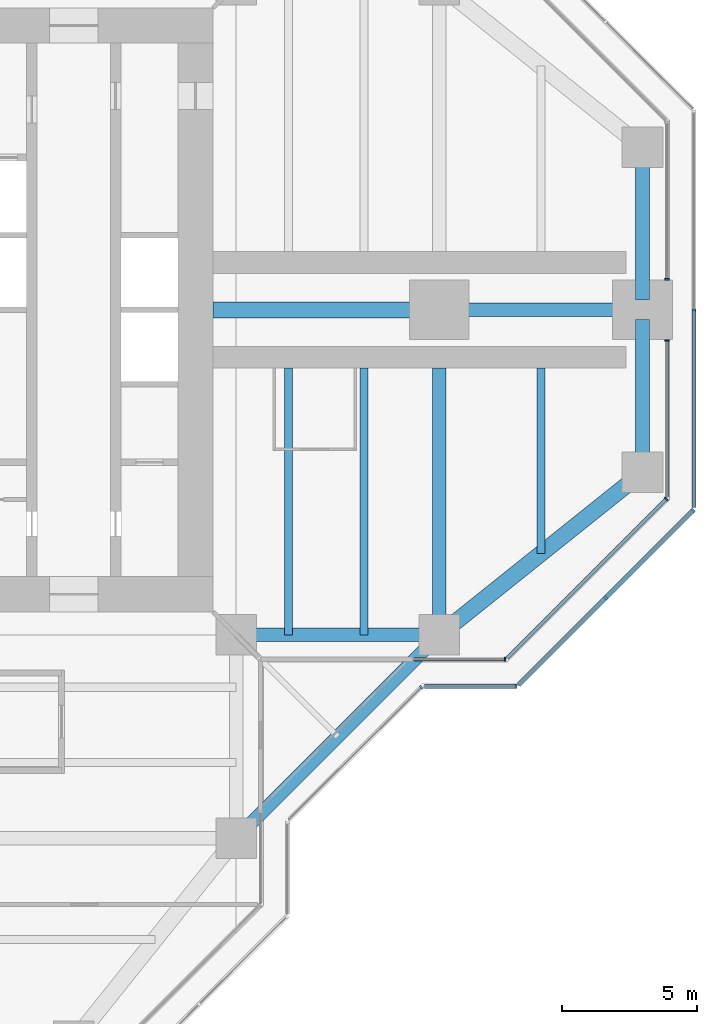
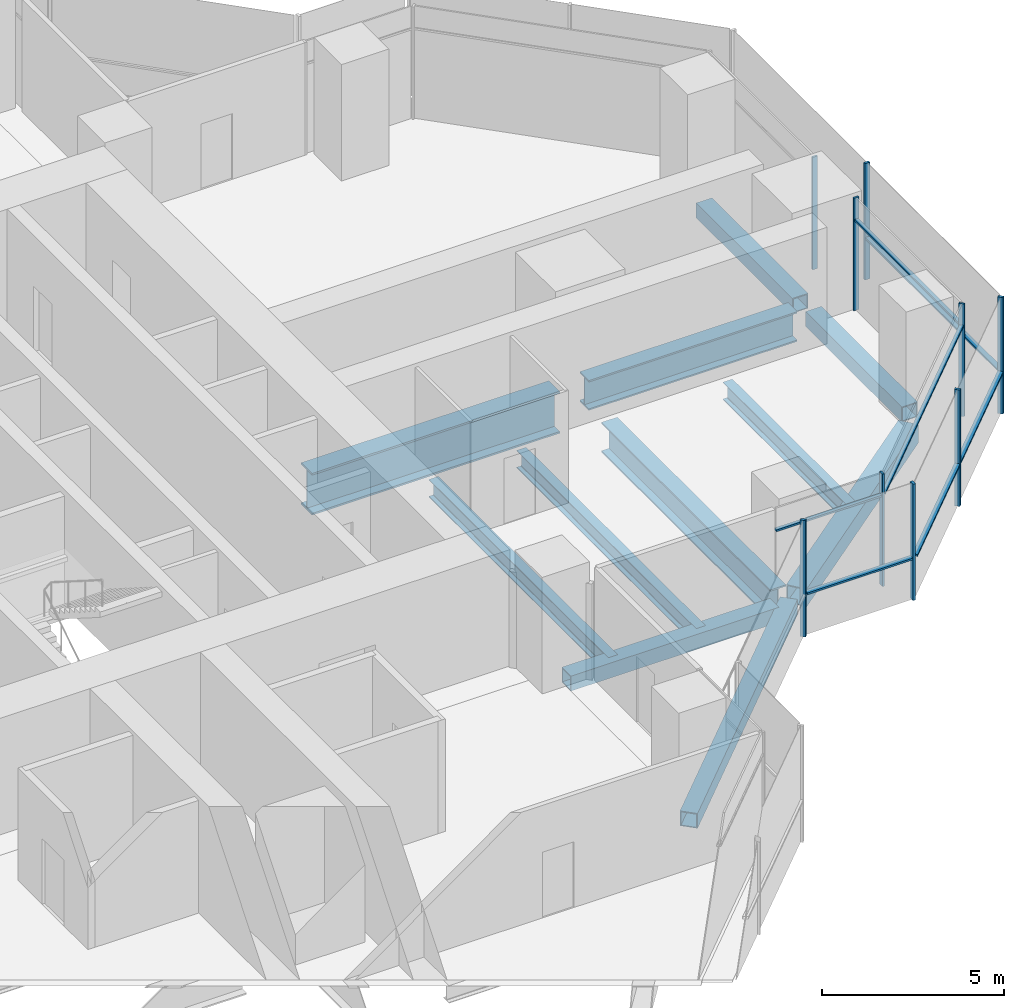
# One storey, part 5 of 17: 16 members, 11 beams, 8 elements without a shape of their own.
"""IFC4 building model written with IfcOpenShell, lengths in metres."""

from ifc_helpers import new_model, si_unit, direction, frame, origin, origin_2d, place, context, subcontext, project, spatial, rectangle, hollow_rectangle, i_section, extrude, material, material_profile, profile_set, type_object, element, aggregate, save


model = new_model("IFC4")

# Units and contexts
model_context = context("Model", 3, precision=1e-05, world=origin(), true_north=direction((0.0, 1.0)))
body_context = subcontext(model_context, "Body", "Model", "MODEL_VIEW")
ifc_project = project(units=[si_unit("LENGTHUNIT", "METRE"), si_unit("AREAUNIT", "SQUARE_METRE"), si_unit("VOLUMEUNIT", "CUBIC_METRE"), si_unit("PLANEANGLEUNIT", "RADIAN"), si_unit("MASSUNIT", "GRAM", prefix="KILO")], contexts=[model_context])

# Site, building, storey
site_placement = place(None, origin())
site = spatial("IfcSite", under=ifc_project, at=site_placement, CompositionType="ELEMENT")
building_placement = place(site_placement, origin())
building = spatial("IfcBuilding", under=site, at=building_placement, Name="Mizan Broadcast Tower", CompositionType="ELEMENT")
storey_placement = place(building_placement, frame((0.0, 0.0, 224.39990234375)))
storey = spatial("IfcBuildingStorey", under=building, at=storey_placement, Name="L52", CompositionType="ELEMENT", Elevation=224.39990234375)

# Beams
ifc_material_1 = material(Name="Steel S355", Category="steel")
ifc_material_profile_1 = material_profile(ifc_material_1, hollow_rectangle(XDim=0.5, YDim=0.5, WallThickness=0.030029296875, at=origin_2d()), Name="BOX 500x500x30")
ifc_profile_set_1 = profile_set([ifc_material_profile_1], Name="Steel S355")
beam_type_1 = type_object("IfcBeamType", Name="EDGE BEAM BOX 500x500x30", PredefinedType="SPANDREL", material=ifc_profile_set_1)
beam_1_placement = place(storey_placement, frame((12.449951171875, -12.0, -0.3798828125), z_axis=(1.0, 0.0, 0.0), x_axis=(0.0, 1.0, 0.0)))
element("IfcBeam", 1, at=beam_1_placement, inside=storey, type_object=beam_type_1, Name="Edge beam BOX 500x500x30 L52 east arm", PredefinedType="SPANDREL", context=body_context, shape_type="SweptSolid", body=[
    extrude(hollow_rectangle(XDim=0.5, YDim=0.5, WallThickness=0.030029296875, at=origin_2d()), origin(), (0.0, 0.0, 1.0), 6.60009765625),
])
for number, where, z_axis, x_axis, name in (
    (2, (27.0, -5.639892578125, -0.3798828125), (0.0, 1.0, 0.0), (-1.0, 0.0, 0.0), "Edge beam BOX 500x500x30 L52 east arm"),
    (3, (27.0, 5.639892578125, -0.3798828125), (0.0, -1.0, 0.0), (1.0, 0.0, 0.0), "Edge beam BOX 500x500x30 L52 east arm"),
):
    element("IfcBeam", number, at=place(storey_placement, frame(where, z_axis=z_axis, x_axis=x_axis)), inside=storey, type_object=beam_type_1, Name=name, PredefinedType="SPANDREL", context=body_context, shape_type="SweptSolid", body=[
        extrude(hollow_rectangle(XDim=0.5, YDim=0.5, WallThickness=0.030029296875, at=origin_2d()), origin(), (0.0, 0.0, 1.0), 5.27978515625),
    ])
beam_2_placement = place(storey_placement, frame((12.0, -19.5, -0.3798828125), z_axis=(0.707106781187, 0.707106781187, 0.0), x_axis=(-0.707106781187, 0.707106781187, 0.0)))
element("IfcBeam", 4, at=beam_2_placement, inside=storey, type_object=beam_type_1, Name="Winter garden edge beam L52 S", PredefinedType="SPANDREL", context=body_context, shape_type="SweptSolid", body=[
    extrude(hollow_rectangle(XDim=0.5, YDim=0.5, WallThickness=0.030029296875, at=origin_2d()), origin(), (0.0, 0.0, 1.0), 10.606689453125),
])
ifc_material_2 = material(Name="Steel S355", Category="steel")
ifc_material_profile_2 = material_profile(ifc_material_2, hollow_rectangle(XDim=0.60009765625, YDim=0.60009765625, WallThickness=0.030029296875, at=origin_2d()), Name="BOX 600x600x30")
ifc_profile_set_2 = profile_set([ifc_material_profile_2], Name="Steel S355")
beam_type_2 = type_object("IfcBeamType", Name="EDGE BEAM BOX 600x600x30", PredefinedType="SPANDREL", material=ifc_profile_set_2)
beam_3_placement = place(storey_placement, frame((19.949951171875, -11.639892578125, -0.429931640625), z_axis=(0.780885717636, 0.624673911726, 0.0), x_axis=(-0.624673911726, 0.780885717636, 0.0)))
element("IfcBeam", 5, at=beam_3_placement, inside=storey, type_object=beam_type_2, Name="Edge beam BOX 600x600x30 L52 east arm", PredefinedType="SPANDREL", context=body_context, shape_type="SweptSolid", body=[
    extrude(hollow_rectangle(XDim=0.60009765625, YDim=0.60009765625, WallThickness=0.030029296875, at=origin_2d()), origin(), (0.0, 0.0, 1.0), 8.4521484375),
])
ifc_material_3 = material(Name="Steel S460", Category="steel")
ifc_material_profile_3 = material_profile(ifc_material_3, i_section(OverallWidth=0.5, OverallDepth=1.0, WebThickness=0.02490234375, FlangeThickness=0.050048828125, at=origin_2d()), Name="WPG 1000x500")
ifc_profile_set_3 = profile_set([ifc_material_profile_3], Name="Steel S460")
beam_type_3 = type_object("IfcBeamType", Name="GIRDER WPG 1000x500", PredefinedType="BEAM", material=ifc_profile_set_3)
beam_4_placement = place(storey_placement, frame((19.949951171875, 0.0, -0.6298828125), z_axis=(1.0, 0.0, 0.0), x_axis=(0.0, 1.0, 0.0)))
element("IfcBeam", 6, at=beam_4_placement, inside=storey, type_object=beam_type_3, Name="Girder WPG 1000x500 L52 east arm", PredefinedType="BEAM", context=body_context, shape_type="SweptSolid", body=[
    extrude(i_section(OverallWidth=0.5, OverallDepth=1.0, WebThickness=0.02490234375, FlangeThickness=0.050048828125, at=origin_2d()), origin(), (0.0, 0.0, 1.0), 6.60009765625),
])
beam_5_placement = place(storey_placement, frame((19.5, -11.408935546875, -0.6298828125), z_axis=(0.0, 1.0, 0.0), x_axis=(-1.0, 0.0, 0.0)))
element("IfcBeam", 7, at=beam_5_placement, inside=storey, type_object=beam_type_3, Name="Girder WPG 1000x500 L52 east arm", PredefinedType="BEAM", context=body_context, shape_type="SweptSolid", body=[
    extrude(i_section(OverallWidth=0.5, OverallDepth=1.0, WebThickness=0.02490234375, FlangeThickness=0.050048828125, at=origin_2d()), origin(), (0.0, 0.0, 1.0), 9.259033203125),
])
ifc_material_4 = material(Name="Steel S460", Category="steel")
ifc_material_profile_4 = material_profile(ifc_material_4, i_section(OverallWidth=0.60009765625, OverallDepth=1.39990234375, WebThickness=0.02490234375, FlangeThickness=0.06005859375, at=origin_2d()), Name="WPG 1400x600")
ifc_profile_set_4 = profile_set([ifc_material_profile_4], Name="Steel S460")
beam_type_4 = type_object("IfcBeamType", Name="GIRDER WPG 1400x600", PredefinedType="BEAM", material=ifc_profile_set_4)
beam_6_placement = place(storey_placement, frame((11.14990234375, 0.0, -0.829833984375), z_axis=(1.0, 0.0, 0.0), x_axis=(0.0, 1.0, 0.0)))
element("IfcBeam", 8, at=beam_6_placement, inside=storey, type_object=beam_type_4, Name="Girder WPG 1400x600 L52 east arm", PredefinedType="BEAM", context=body_context, shape_type="SweptSolid", body=[
    extrude(i_section(OverallWidth=0.60009765625, OverallDepth=1.39990234375, WebThickness=0.02490234375, FlangeThickness=0.06005859375, at=origin_2d()), origin(), (0.0, 0.0, 1.0), 7.84912109375),
])

# Curtain wall, member
ifc_material_5 = material(Name="Aluminium framed glazing", Category="aluminium")
curtain_wall_type_1 = type_object("IfcCurtainWallType", Name="INNER SKIN HIGH ZONE", PredefinedType="USERDEFINED", material=ifc_material_5)
curtain_wall_1_placement = place(storey_placement, origin())
curtain_wall_1 = element("IfcCurtainWall", 9, at=curtain_wall_1_placement, inside=storey, type_object=curtain_wall_type_1, Name="Inner skin high zone L52 E side", ObjectType="INNER SKIN HIGH ZONE", PredefinedType="USERDEFINED")
ifc_material_6 = material(Name="Aluminium, pale anodised", Category="aluminium")
ifc_material_profile_5 = material_profile(ifc_material_6, rectangle(XDim=0.159912109375, YDim=0.06005859375, at=origin_2d()), Name="MULLION 160x60")
ifc_profile_set_5 = profile_set([ifc_material_profile_5], Name="Aluminium, pale anodised")
member_type_1 = type_object("IfcMemberType", Name="INNER SKIN MULLION 60x160", PredefinedType="MULLION", material=ifc_profile_set_5)
member_1_placement = place(storey_placement, frame((21.928466796875, -12.89990234375, 0.0), z_axis=(0.0, 0.0, 1.0), x_axis=(0.0, 1.0, 0.0)))
member_1 = element("IfcMember", 10, at=member_1_placement, type_object=member_type_1, Name="Inner skin high zone L52 E side mullion 2", PredefinedType="MULLION", context=body_context, shape_type="SweptSolid", body=[
    extrude(rectangle(XDim=0.159912109375, YDim=0.06005859375, at=origin_2d()), origin(), (0.0, 0.0, 1.0), 3.77001953125),
])

curtain_wall_2_placement = place(storey_placement, origin())
curtain_wall_2 = element("IfcCurtainWall", 11, at=curtain_wall_2_placement, inside=storey, type_object=curtain_wall_type_1, Name="Inner skin high zone L52 E chamfer", ObjectType="INNER SKIN HIGH ZONE", PredefinedType="USERDEFINED")
member_2_placement = place(storey_placement, frame((27.87890625, -6.979736328125, 0.0), z_axis=(0.0, 0.0, 1.0), x_axis=(-0.707106781187, 0.707106781187, 0.0)))
member_2 = element("IfcMember", 12, at=member_2_placement, type_object=member_type_1, Name="Inner skin high zone L52 E chamfer mullion 2", PredefinedType="MULLION", context=body_context, shape_type="SweptSolid", body=[
    extrude(rectangle(XDim=0.159912109375, YDim=0.06005859375, at=origin_2d()), origin(), (0.0, 0.0, 1.0), 3.77001953125),
])

curtain_wall_3_placement = place(storey_placement, origin())
curtain_wall_3 = element("IfcCurtainWall", 13, at=curtain_wall_3_placement, inside=storey, type_object=curtain_wall_type_1, Name="Inner skin high zone L52 E end", ObjectType="INNER SKIN HIGH ZONE", PredefinedType="USERDEFINED")
member_3_placement = place(storey_placement, frame((27.89990234375, -1.1298828125, 0.0), z_axis=(0.0, 0.0, 1.0), x_axis=(-1.0, 0.0, 0.0)))
member_3 = element("IfcMember", 14, at=member_3_placement, type_object=member_type_1, Name="Inner skin high zone L52 E end mullion 2", PredefinedType="MULLION", context=body_context, shape_type="SweptSolid", body=[
    extrude(rectangle(XDim=0.159912109375, YDim=0.06005859375, at=origin_2d()), origin(), (0.0, 0.0, 1.0), 3.77001953125),
])

curtain_wall_4_placement = place(storey_placement, origin())
curtain_wall_4 = element("IfcCurtainWall", 15, at=curtain_wall_4_placement, inside=storey, type_object=curtain_wall_type_1, Name="Inner skin high zone L52 E end", ObjectType="INNER SKIN HIGH ZONE", PredefinedType="USERDEFINED")
member_4_placement = place(storey_placement, frame((27.89990234375, 1.1298828125, 0.0), z_axis=(0.0, 0.0, 1.0), x_axis=(-1.0, 0.0, 0.0)))
member_4 = element("IfcMember", 16, at=member_4_placement, type_object=member_type_1, Name="Inner skin high zone L52 E end mullion 1", PredefinedType="MULLION", context=body_context, shape_type="SweptSolid", body=[
    extrude(rectangle(XDim=0.159912109375, YDim=0.06005859375, at=origin_2d()), origin(), (0.0, 0.0, 1.0), 3.77001953125),
])
aggregate(curtain_wall_4, [member_4])

# Member
ifc_material_7 = material(Name="Aluminium, pale anodised", Category="aluminium")
ifc_material_profile_6 = material_profile(ifc_material_7, rectangle(XDim=0.1201171875, YDim=0.06005859375, at=origin_2d()), Name="TRANSOM 120x60")
ifc_profile_set_6 = profile_set([ifc_material_profile_6], Name="Aluminium, pale anodised")
member_type_2 = type_object("IfcMemberType", Name="INNER SKIN TRANSOM 60x120", PredefinedType="USERDEFINED", material=ifc_profile_set_6)
member_5_placement = place(storey_placement, frame((18.56005859375, -12.89990234375, 3.030029296875), z_axis=(1.0, 0.0, 0.0), x_axis=(0.0, 1.0, 0.0)))
member_5 = element("IfcMember", 17, at=member_5_placement, type_object=member_type_2, Name="Inner skin high zone L52 E side transom 1.1", ObjectType="TRANSOM", PredefinedType="USERDEFINED", context=body_context, shape_type="SweptSolid", body=[
    extrude(rectangle(XDim=0.1201171875, YDim=0.06005859375, at=origin_2d()), origin(), (0.0, 0.0, 1.0), 3.338623046875),
])

aggregate(curtain_wall_1, [member_1, member_5])

member_6_placement = place(storey_placement, frame((22.0009765625, -12.857666015625, 3.030029296875), z_axis=(0.707106781187, 0.707106781187, 0.0), x_axis=(-0.707106781187, 0.707106781187, 0.0)))
member_6 = element("IfcMember", 18, at=member_6_placement, type_object=member_type_2, Name="Inner skin high zone L52 E chamfer transom 1.1", ObjectType="TRANSOM", PredefinedType="USERDEFINED", context=body_context, shape_type="SweptSolid", body=[
    extrude(rectangle(XDim=0.1201171875, YDim=0.06005859375, at=origin_2d()), origin(), (0.0, 0.0, 1.0), 8.28271484375),
])

aggregate(curtain_wall_2, [member_2, member_6])

member_7_placement = place(storey_placement, frame((27.89990234375, -6.898681640625, 3.030029296875), z_axis=(0.0, 1.0, 0.0), x_axis=(-1.0, 0.0, 0.0)))
member_7 = element("IfcMember", 19, at=member_7_placement, type_object=member_type_2, Name="Inner skin high zone L52 E end transom 1.1", ObjectType="TRANSOM", PredefinedType="USERDEFINED", context=body_context, shape_type="SweptSolid", body=[
    extrude(rectangle(XDim=0.1201171875, YDim=0.06005859375, at=origin_2d()), origin(), (0.0, 0.0, 1.0), 5.73876953125),
])

aggregate(curtain_wall_3, [member_3, member_7])

# Curtain wall, members
ifc_material_8 = material(Name="Aluminium framed glazing", Category="aluminium")
curtain_wall_type_2 = type_object("IfcCurtainWallType", Name="OUTER SKIN", PredefinedType="USERDEFINED", material=ifc_material_8)
curtain_wall_5_placement = place(storey_placement, origin())
curtain_wall_5 = element("IfcCurtainWall", 20, at=curtain_wall_5_placement, inside=storey, type_object=curtain_wall_type_2, Name="Outer skin L52 E chamfer", ObjectType="OUTER SKIN", PredefinedType="USERDEFINED")
ifc_material_9 = material(Name="Aluminium, pale anodised", Category="aluminium")
ifc_material_profile_7 = material_profile(ifc_material_9, rectangle(XDim=0.159912109375, YDim=0.080078125, at=origin_2d()), Name="MULLION 160x80")
ifc_profile_set_7 = profile_set([ifc_material_profile_7], Name="Aluminium, pale anodised")
member_type_3 = type_object("IfcMemberType", Name="OUTER SKIN MULLION 80x160", PredefinedType="MULLION", material=ifc_profile_set_7)
member_8_placement = place(storey_placement, frame((25.636474609375, -10.636474609375, 0.0), z_axis=(0.0, 0.0, 1.0), x_axis=(-0.707106781187, 0.707106781187, 0.0)))
member_8 = element("IfcMember", 21, at=member_8_placement, type_object=member_type_3, Name="Outer skin L52 E chamfer mullion 2", PredefinedType="MULLION", context=body_context, shape_type="SweptSolid", body=[
    extrude(rectangle(XDim=0.159912109375, YDim=0.080078125, at=origin_2d()), origin(), (0.0, 0.0, 1.0), 3.900146484375),
])
member_9_placement = place(storey_placement, frame((28.871826171875, -7.401123046875, 0.0), z_axis=(0.0, 0.0, 1.0), x_axis=(-0.707106781187, 0.707106781187, 0.0)))
member_9 = element("IfcMember", 22, at=member_9_placement, type_object=member_type_3, Name="Outer skin L52 E chamfer mullion 3", PredefinedType="MULLION", context=body_context, shape_type="SweptSolid", body=[
    extrude(rectangle(XDim=0.159912109375, YDim=0.080078125, at=origin_2d()), origin(), (0.0, 0.0, 1.0), 3.900146484375),
])

# Curtain wall, member
curtain_wall_6_placement = place(storey_placement, origin())
curtain_wall_6 = element("IfcCurtainWall", 23, at=curtain_wall_6_placement, inside=storey, type_object=curtain_wall_type_2, Name="Outer skin L52 E end", ObjectType="OUTER SKIN", PredefinedType="USERDEFINED")
member_10_placement = place(storey_placement, frame((28.89990234375, 0.0, 0.0), z_axis=(0.0, 0.0, 1.0), x_axis=(-1.0, 0.0, 0.0)))
member_10 = element("IfcMember", 24, at=member_10_placement, type_object=member_type_3, Name="Outer skin L52 E end mullion 2", PredefinedType="MULLION", context=body_context, shape_type="SweptSolid", body=[
    extrude(rectangle(XDim=0.159912109375, YDim=0.080078125, at=origin_2d()), origin(), (0.0, 0.0, 1.0), 3.900146484375),
])

curtain_wall_7_placement = place(storey_placement, origin())
curtain_wall_7 = element("IfcCurtainWall", 25, at=curtain_wall_7_placement, inside=storey, type_object=curtain_wall_type_2, Name="Outer skin L52 E chamfer", ObjectType="OUTER SKIN", PredefinedType="USERDEFINED")
member_11_placement = place(storey_placement, frame((18.844482421875, -13.92822265625, 0.0), z_axis=(0.0, 0.0, 1.0), x_axis=(-0.707106781187, 0.707106781187, 0.0)))
member_11 = element("IfcMember", 26, at=member_11_placement, type_object=member_type_3, Name="Outer skin L52 E chamfer mullion 2", PredefinedType="MULLION", context=body_context, shape_type="SweptSolid", body=[
    extrude(rectangle(XDim=0.159912109375, YDim=0.080078125, at=origin_2d()), origin(), (0.0, 0.0, 1.0), 3.900146484375),
])
aggregate(curtain_wall_7, [member_11])

curtain_wall_8_placement = place(storey_placement, origin())
curtain_wall_8 = element("IfcCurtainWall", 27, at=curtain_wall_8_placement, inside=storey, type_object=curtain_wall_type_2, Name="Outer skin L52 E side", ObjectType="OUTER SKIN", PredefinedType="USERDEFINED")
member_12_placement = place(storey_placement, frame((22.332763671875, -13.89990234375, 0.0), z_axis=(0.0, 0.0, 1.0), x_axis=(0.0, 1.0, 0.0)))
member_12 = element("IfcMember", 28, at=member_12_placement, type_object=member_type_3, Name="Outer skin L52 E side mullion 2", PredefinedType="MULLION", context=body_context, shape_type="SweptSolid", body=[
    extrude(rectangle(XDim=0.159912109375, YDim=0.080078125, at=origin_2d()), origin(), (0.0, 0.0, 1.0), 3.900146484375),
])

# Member
ifc_material_10 = material(Name="Aluminium, pale anodised", Category="aluminium")
ifc_material_profile_8 = material_profile(ifc_material_10, rectangle(XDim=0.159912109375, YDim=0.06005859375, at=origin_2d()), Name="TRANSOM 160x60")
ifc_profile_set_8 = profile_set([ifc_material_profile_8], Name="Aluminium, pale anodised")
member_type_4 = type_object("IfcMemberType", Name="OUTER SKIN TRANSOM 60x160", PredefinedType="USERDEFINED", material=ifc_profile_set_8)
member_13_placement = place(storey_placement, frame((22.429443359375, -13.843505859375, 1.400146484375), z_axis=(0.707106781187, 0.707106781187, 0.0), x_axis=(-0.707106781187, 0.707106781187, 0.0)))
member_13 = element("IfcMember", 29, at=member_13_placement, type_object=member_type_4, Name="Outer skin L52 E chamfer transom 1.1", ObjectType="TRANSOM", PredefinedType="USERDEFINED", context=body_context, shape_type="SweptSolid", body=[
    extrude(rectangle(XDim=0.159912109375, YDim=0.06005859375, at=origin_2d()), origin(), (0.0, 0.0, 1.0), 4.495361328125),
])

member_14_placement = place(storey_placement, frame((25.664794921875, -10.608154296875, 1.400146484375), z_axis=(0.707106781187, 0.707106781187, 0.0), x_axis=(-0.707106781187, 0.707106781187, 0.0)))
member_14 = element("IfcMember", 30, at=member_14_placement, type_object=member_type_4, Name="Outer skin L52 E chamfer transom 2.1", ObjectType="TRANSOM", PredefinedType="USERDEFINED", context=body_context, shape_type="SweptSolid", body=[
    extrude(rectangle(XDim=0.159912109375, YDim=0.06005859375, at=origin_2d()), origin(), (0.0, 0.0, 1.0), 4.495361328125),
])

aggregate(curtain_wall_5, [member_8, member_9, member_13, member_14])

member_15_placement = place(storey_placement, frame((28.89990234375, -7.292724609375, 1.400146484375), z_axis=(0.0, 1.0, 0.0), x_axis=(-1.0, 0.0, 0.0)))
member_15 = element("IfcMember", 31, at=member_15_placement, type_object=member_type_4, Name="Outer skin L52 E end transom 1.1", ObjectType="TRANSOM", PredefinedType="USERDEFINED", context=body_context, shape_type="SweptSolid", body=[
    extrude(rectangle(XDim=0.159912109375, YDim=0.06005859375, at=origin_2d()), origin(), (0.0, 0.0, 1.0), 7.252685546875),
])

aggregate(curtain_wall_6, [member_10, member_15])

member_16_placement = place(storey_placement, frame((18.952880859375, -13.89990234375, 1.400146484375), z_axis=(1.0, 0.0, 0.0), x_axis=(0.0, 1.0, 0.0)))
member_16 = element("IfcMember", 32, at=member_16_placement, type_object=member_type_4, Name="Outer skin L52 E side transom 1.1", ObjectType="TRANSOM", PredefinedType="USERDEFINED", context=body_context, shape_type="SweptSolid", body=[
    extrude(rectangle(XDim=0.159912109375, YDim=0.06005859375, at=origin_2d()), origin(), (0.0, 0.0, 1.0), 3.33984375),
])

aggregate(curtain_wall_8, [member_12, member_16])

# Beams
ifc_material_11 = material(Name="Steel S355", Category="steel")
ifc_material_profile_9 = material_profile(ifc_material_11, i_section(OverallWidth=0.300048828125, OverallDepth=0.590087890625, WebThickness=0.012939453125, FlangeThickness=0.02490234375, FilletRadius=0.027099609375, at=origin_2d()), Name="HEA 600")
ifc_profile_set_9 = profile_set([ifc_material_profile_9], Name="Steel S355")
beam_type_5 = type_object("IfcBeamType", Name="SECONDARY BEAM HEA 600", PredefinedType="JOIST", material=ifc_profile_set_9)
for number, where, z_axis, x_axis, name in (
    (33, (13.933349609375, -12.0, -0.4248046875), (0.0, 1.0, 0.0), (-1.0, 0.0, 0.0), "Secondary beam HEA 600 L52 east arm"),
    (34, (16.716552734375, -12.0, -0.4248046875), (0.0, 1.0, 0.0), (-1.0, 0.0, 0.0), "Secondary beam HEA 600 L52 east arm"),
):
    element("IfcBeam", number, at=place(storey_placement, frame(where, z_axis=z_axis, x_axis=x_axis)), inside=storey, type_object=beam_type_5, Name=name, PredefinedType="JOIST", context=body_context, shape_type="SweptSolid", body=[
        extrude(i_section(OverallWidth=0.300048828125, OverallDepth=0.590087890625, WebThickness=0.012939453125, FlangeThickness=0.02490234375, FilletRadius=0.027099609375, at=origin_2d()), origin(), (0.0, 0.0, 1.0), 9.85009765625),
    ])
beam_7_placement = place(storey_placement, frame((23.25, -9.0, -0.4248046875), z_axis=(0.0, 1.0, 0.0), x_axis=(-1.0, 0.0, 0.0)))
element("IfcBeam", 35, at=beam_7_placement, inside=storey, type_object=beam_type_5, Name="Secondary beam HEA 600 L52 east arm", PredefinedType="JOIST", context=body_context, shape_type="SweptSolid", body=[
    extrude(i_section(OverallWidth=0.300048828125, OverallDepth=0.590087890625, WebThickness=0.012939453125, FlangeThickness=0.02490234375, FilletRadius=0.027099609375, at=origin_2d()), origin(), (0.0, 0.0, 1.0), 6.85009765625),
])

save(model, "model.ifc")
